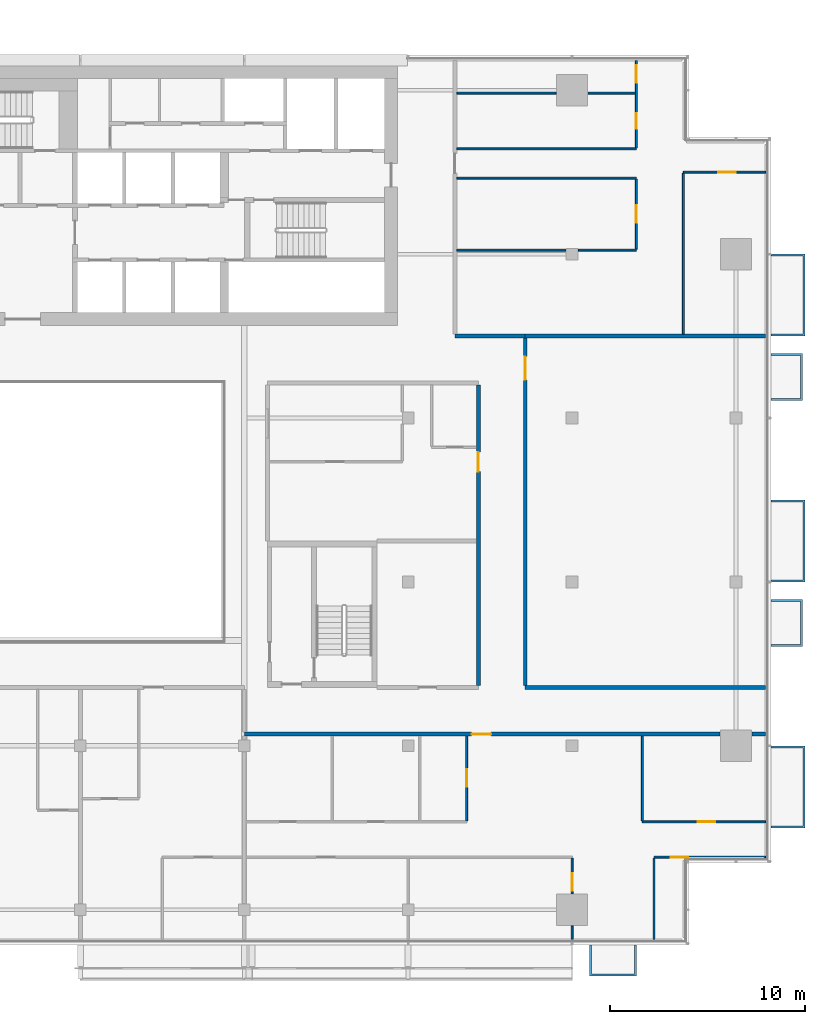
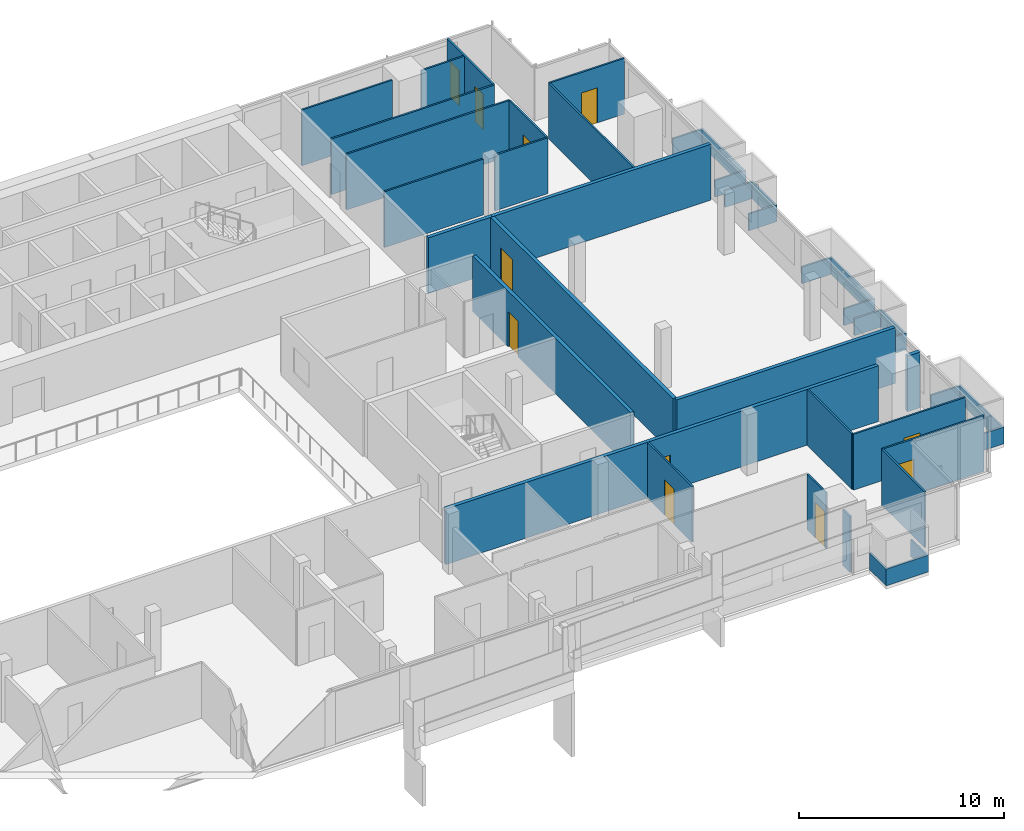
# One storey, part 23 of 27: 30 walls, 11 doors, 11 openings.
"""IFC4 building model written with IfcOpenShell, lengths in metres."""

from ifc_helpers import new_model, si_unit, direction, frame, frame_2d, origin, place, context, subcontext, project, spatial, polyline, rectangle, outline, extrude, material, layer, layer_set, type_object, element, fill, save


model = new_model("IFC4")

# Units and contexts
model_context = context("Model", 3, precision=1e-05, world=origin(), true_north=direction((0.0, 1.0)))
body_context = subcontext(model_context, "Body", "Model", "MODEL_VIEW")
ifc_project = project(units=[si_unit("LENGTHUNIT", "METRE"), si_unit("AREAUNIT", "SQUARE_METRE"), si_unit("VOLUMEUNIT", "CUBIC_METRE"), si_unit("PLANEANGLEUNIT", "RADIAN"), si_unit("MASSUNIT", "GRAM", prefix="KILO")], contexts=[model_context])

# Site, building, storey
site_placement = place(None, origin())
site = spatial("IfcSite", under=ifc_project, at=site_placement, CompositionType="ELEMENT")
building_placement = place(site_placement, origin())
building = spatial("IfcBuilding", under=site, at=building_placement, Name="Saffron Gate Tower", CompositionType="ELEMENT")
storey_placement = place(building_placement, frame((0.0, 0.0, 212.699951171875)))
storey = spatial("IfcBuildingStorey", under=building, at=storey_placement, Name="L51", CompositionType="ELEMENT", Elevation=212.699951171875)

# Wall, opening, door
ifc_material_1 = material(Name="Plasterboard on steel studs", Category="steel")
ifc_layer_1 = layer(ifc_material_1, 0.10009765625)
ifc_layer_set_1 = layer_set([ifc_layer_1], Name="PW1 Partition 100")
wall_type_1 = type_object("IfcWallType", Name="PW1 Partition 100", PredefinedType="PARTITIONING", material=ifc_layer_set_1)
wall_1_placement = place(storey_placement, frame((126.919921875, 34.5, 0.0), z_axis=(0.0, 0.0, 1.0), x_axis=(-1.0, 0.0, 0.0)))
wall_1 = element("IfcWall", 1, at=wall_1_placement, inside=storey, type_object=wall_type_1, Name="Partition D1-3", PredefinedType="PARTITIONING", context=body_context, shape_type="SweptSolid", body=[
    extrude(rectangle(XDim=5.719970703125, YDim=0.10009765625, at=frame_2d((2.85986328125, 0.0))), origin(), (0.0, 0.0, 1.0), 3.320068359375),
])
opening_1_placement = place(wall_1_placement, frame((3.96630859375, 0.0, 0.0)))
opening_1 = element("IfcOpeningElement", 2, at=opening_1_placement, cuts=wall_1, Name="Opening D1-21", PredefinedType="OPENING", context=body_context, shape_type="SweptSolid", body=[
    extrude(rectangle(XDim=0.89990234375, YDim=2.10009765625, at=frame_2d((0.449951171875, 1.050048828125))), frame((0.0, 0.06005859375, 0.0), z_axis=(0.0, -1.0, 0.0), x_axis=(1.0, 0.0, 0.0)), (0.0, 0.0, 1.0), 0.1201171875),
])
ifc_material_2 = material(Name="Timber door set", Category="wood")
door_type_1 = type_object("IfcDoorType", Name="RD1 Room door 900x2100", OperationType="NOTDEFINED", PredefinedType="DOOR", material=ifc_material_2)
door_1_placement = place(opening_1_placement, origin())
door_1 = element("IfcDoor", 3, at=door_1_placement, inside=storey, type_object=door_type_1, Name="Door D1-21", OperationType="SINGLE_SWING_RIGHT", OverallHeight=2.10009765625, OverallWidth=0.89990234375, PredefinedType="DOOR", context=body_context, shape_type="SweptSolid", body=[
    extrude(rectangle(XDim=0.89990234375, YDim=2.10009765625, at=frame_2d((0.449951171875, 1.050048828125))), frame((0.0, 0.02490234375, 0.0), z_axis=(0.0, -1.0, 0.0), x_axis=(1.0, 0.0, 0.0)), (0.0, 0.0, 1.0), 0.050048828125),
])
fill(opening_1, door_1)

wall_2_placement = place(storey_placement, frame((120.60009765625, 36.300048828125, 0.0), z_axis=(0.0, 0.0, 1.0), x_axis=(1.0, 0.0, 0.0)))
wall_2 = element("IfcWall", 4, at=wall_2_placement, inside=storey, type_object=wall_type_1, Name="Partition D1-8", PredefinedType="PARTITIONING", context=body_context, shape_type="SweptSolid", body=[
    extrude(rectangle(XDim=6.31982421875, YDim=0.10009765625, at=frame_2d((3.159912109375, 0.0))), origin(), (0.0, 0.0, 1.0), 3.320068359375),
])
opening_2_placement = place(wall_2_placement, frame((2.85009765625, 0.0, 0.0)))
opening_2 = element("IfcOpeningElement", 5, at=opening_2_placement, cuts=wall_2, Name="Opening D1-22", PredefinedType="OPENING", context=body_context, shape_type="SweptSolid", body=[
    extrude(rectangle(XDim=0.89990234375, YDim=2.10009765625, at=frame_2d((0.449951171875, 1.050048828125))), frame((0.0, 0.06005859375, 0.0), z_axis=(0.0, -1.0, 0.0), x_axis=(1.0, 0.0, 0.0)), (0.0, 0.0, 1.0), 0.1201171875),
])
door_2_placement = place(opening_2_placement, origin())
door_2 = element("IfcDoor", 6, at=door_2_placement, inside=storey, type_object=door_type_1, Name="Door D1-22", OperationType="SINGLE_SWING_RIGHT", OverallHeight=2.10009765625, OverallWidth=0.89990234375, PredefinedType="DOOR", context=body_context, shape_type="SweptSolid", body=[
    extrude(rectangle(XDim=0.89990234375, YDim=2.10009765625, at=frame_2d((0.449951171875, 1.050048828125))), frame((0.0, 0.02490234375, 0.0), z_axis=(0.0, -1.0, 0.0), x_axis=(1.0, 0.0, 0.0)), (0.0, 0.0, 1.0), 0.050048828125),
])
fill(opening_2, door_2)

# Walls
wall_3_placement = place(storey_placement, frame((111.10009765625, 65.608642578125, 0.0), z_axis=(0.0, 0.0, 1.0), x_axis=(1.0, 0.0, 0.0)))
element("IfcWall", 7, at=wall_3_placement, inside=storey, type_object=wall_type_1, Name="Partition D1-34", PredefinedType="PARTITIONING", context=body_context, shape_type="SweptSolid", body=[
    extrude(rectangle(XDim=5.579833984375, YDim=0.10009765625, at=frame_2d((2.7900390625, 0.0))), origin(), (0.0, 0.0, 1.0), 3.320068359375),
])
wall_4_placement = place(storey_placement, frame((117.320068359375, 65.608642578125, 0.0), z_axis=(0.0, 0.0, 1.0), x_axis=(1.0, 0.0, 0.0)))
element("IfcWall", 8, at=wall_4_placement, inside=storey, type_object=wall_type_1, Name="Partition D1-35", PredefinedType="PARTITIONING", context=body_context, shape_type="SweptSolid", body=[
    extrude(rectangle(XDim=2.97998046875, YDim=0.10009765625, at=frame_2d((1.489990234375, 0.0))), origin(), (0.0, 0.0, 1.0), 3.320068359375),
])
wall_5_placement = place(storey_placement, frame((111.10009765625, 69.300048828125, 0.0), z_axis=(0.0, 0.0, 1.0), x_axis=(1.0, 0.0, 0.0)))
element("IfcWall", 9, at=wall_5_placement, inside=storey, type_object=wall_type_1, Name="Partition D1-37", PredefinedType="PARTITIONING", context=body_context, shape_type="SweptSolid", body=[
    extrude(rectangle(XDim=9.199951171875, YDim=0.10009765625, at=frame_2d((4.60009765625, 0.0))), origin(), (0.0, 0.0, 1.0), 3.320068359375),
])

# Wall, opening, door
wall_6_placement = place(storey_placement, frame((126.919921875, 69.60009765625, 0.0), z_axis=(0.0, 0.0, 1.0), x_axis=(-1.0, 0.0, 0.0)))
wall_6 = element("IfcWall", 10, at=wall_6_placement, inside=storey, type_object=wall_type_1, Name="Partition D1-39", PredefinedType="PARTITIONING", context=body_context, shape_type="SweptSolid", body=[
    extrude(rectangle(XDim=4.219970703125, YDim=0.10009765625, at=frame_2d((2.10986328125, 0.0))), origin(), (0.0, 0.0, 1.0), 3.320068359375),
])
opening_3_placement = place(wall_6_placement, frame((1.52001953125, 0.0, 0.0)))
opening_3 = element("IfcOpeningElement", 11, at=opening_3_placement, cuts=wall_6, Name="Opening D1-27", PredefinedType="OPENING", context=body_context, shape_type="SweptSolid", body=[
    extrude(rectangle(XDim=0.89990234375, YDim=2.10009765625, at=frame_2d((0.449951171875, 1.050048828125))), frame((0.0, 0.06005859375, 0.0), z_axis=(0.0, -1.0, 0.0), x_axis=(1.0, 0.0, 0.0)), (0.0, 0.0, 1.0), 0.1201171875),
])
door_3_placement = place(opening_3_placement, origin())
door_3 = element("IfcDoor", 12, at=door_3_placement, inside=storey, type_object=door_type_1, Name="Door D1-27", OperationType="SINGLE_SWING_LEFT", OverallHeight=2.10009765625, OverallWidth=0.89990234375, PredefinedType="DOOR", context=body_context, shape_type="SweptSolid", body=[
    extrude(rectangle(XDim=0.89990234375, YDim=2.10009765625, at=frame_2d((0.449951171875, 1.050048828125))), frame((0.0, 0.02490234375, 0.0), z_axis=(0.0, -1.0, 0.0), x_axis=(1.0, 0.0, 0.0)), (0.0, 0.0, 1.0), 0.050048828125),
])
fill(opening_3, door_3)

# Walls
wall_7_placement = place(storey_placement, frame((111.10009765625, 70.800048828125, 0.0), z_axis=(0.0, 0.0, 1.0), x_axis=(1.0, 0.0, 0.0)))
element("IfcWall", 13, at=wall_7_placement, inside=storey, type_object=wall_type_1, Name="Partition D1-40", PredefinedType="PARTITIONING", context=body_context, shape_type="SweptSolid", body=[
    extrude(rectangle(XDim=9.199951171875, YDim=0.10009765625, at=frame_2d((4.60009765625, 0.0))), origin(), (0.0, 0.0, 1.0), 3.320068359375),
])
wall_8_placement = place(storey_placement, frame((111.10009765625, 73.6494140625, 0.0), z_axis=(0.0, 0.0, 1.0), x_axis=(1.0, 0.0, 0.0)))
element("IfcWall", 14, at=wall_8_placement, inside=storey, type_object=wall_type_1, Name="Partition D1-43", PredefinedType="PARTITIONING", context=body_context, shape_type="SweptSolid", body=[
    extrude(rectangle(XDim=5.079833984375, YDim=0.10009765625, at=frame_2d((2.5400390625, 0.0))), origin(), (0.0, 0.0, 1.0), 3.320068359375),
])
wall_9_placement = place(storey_placement, frame((117.820068359375, 73.6494140625, 0.0), z_axis=(0.0, 0.0, 1.0), x_axis=(1.0, 0.0, 0.0)))
element("IfcWall", 15, at=wall_9_placement, inside=storey, type_object=wall_type_1, Name="Partition D1-44", PredefinedType="PARTITIONING", context=body_context, shape_type="SweptSolid", body=[
    extrude(rectangle(XDim=2.429931640625, YDim=0.10009765625, at=frame_2d((1.21484375, 0.0))), origin(), (0.0, 0.0, 1.0), 3.320068359375),
])

# Wall, opening, door
wall_10_placement = place(storey_placement, frame((111.60009765625, 36.35009765625, 0.0), z_axis=(0.0, 0.0, 1.0), x_axis=(0.0, 1.0, 0.0)))
wall_10 = element("IfcWall", 16, at=wall_10_placement, inside=storey, type_object=wall_type_1, Name="Partition D1-91", PredefinedType="PARTITIONING", context=body_context, shape_type="SweptSolid", body=[
    extrude(rectangle(XDim=4.349853515625, YDim=0.10009765625, at=frame_2d((2.1748046875, 0.0))), origin(), (0.0, 0.0, 1.0), 3.320068359375),
])
opening_4_placement = place(wall_10_placement, frame((1.75, 0.0, 0.0)))
opening_4 = element("IfcOpeningElement", 17, at=opening_4_placement, cuts=wall_10, Name="Opening D1-23", PredefinedType="OPENING", context=body_context, shape_type="SweptSolid", body=[
    extrude(rectangle(XDim=0.89990234375, YDim=2.10009765625, at=frame_2d((0.449951171875, 1.050048828125))), frame((0.0, 0.06005859375, 0.0), z_axis=(0.0, -1.0, 0.0), x_axis=(1.0, 0.0, 0.0)), (0.0, 0.0, 1.0), 0.1201171875),
])
door_4_placement = place(opening_4_placement, origin())
door_4 = element("IfcDoor", 18, at=door_4_placement, inside=storey, type_object=door_type_1, Name="Door D1-23", OperationType="SINGLE_SWING_RIGHT", OverallHeight=2.10009765625, OverallWidth=0.89990234375, PredefinedType="DOOR", context=body_context, shape_type="SweptSolid", body=[
    extrude(rectangle(XDim=0.89990234375, YDim=2.10009765625, at=frame_2d((0.449951171875, 1.050048828125))), frame((0.0, 0.02490234375, 0.0), z_axis=(0.0, -1.0, 0.0), x_axis=(1.0, 0.0, 0.0)), (0.0, 0.0, 1.0), 0.050048828125),
])
fill(opening_4, door_4)

# Wall
wall_11_placement = place(storey_placement, frame((117.0, 30.97998046875, 0.0), z_axis=(0.0, 0.0, 1.0), x_axis=(0.0, -1.0, 0.0)))
element("IfcWall", 19, at=wall_11_placement, inside=storey, type_object=wall_type_1, Name="Partition D1-94", PredefinedType="PARTITIONING", context=body_context, shape_type="SweptSolid", body=[
    extrude(rectangle(XDim=0.699951171875, YDim=0.10009765625, at=frame_2d((0.35009765625, 0.0))), origin(), (0.0, 0.0, 1.0), 3.320068359375),
])

# Wall, opening, door
wall_12_placement = place(storey_placement, frame((117.0, 32.6201171875, 0.0), z_axis=(0.0, 0.0, 1.0), x_axis=(0.0, 1.0, 0.0)))
wall_12 = element("IfcWall", 20, at=wall_12_placement, inside=storey, type_object=wall_type_1, Name="Partition D1-95", PredefinedType="PARTITIONING", context=body_context, shape_type="SweptSolid", body=[
    extrude(rectangle(XDim=1.829833984375, YDim=0.10009765625, at=frame_2d((0.9150390625, 0.0))), origin(), (0.0, 0.0, 1.0), 3.320068359375),
])
opening_5_placement = place(wall_12_placement, frame((0.14990234375, 0.0, 0.0)))
opening_5 = element("IfcOpeningElement", 21, at=opening_5_placement, cuts=wall_12, Name="Opening D1-20", PredefinedType="OPENING", context=body_context, shape_type="SweptSolid", body=[
    extrude(rectangle(XDim=0.89990234375, YDim=2.10009765625, at=frame_2d((0.449951171875, 1.050048828125))), frame((0.0, 0.06005859375, 0.0), z_axis=(0.0, -1.0, 0.0), x_axis=(1.0, 0.0, 0.0)), (0.0, 0.0, 1.0), 0.1201171875),
])
door_5_placement = place(opening_5_placement, origin())
door_5 = element("IfcDoor", 22, at=door_5_placement, inside=storey, type_object=door_type_1, Name="Door D1-20", OperationType="SINGLE_SWING_LEFT", OverallHeight=2.10009765625, OverallWidth=0.89990234375, PredefinedType="DOOR", context=body_context, shape_type="SweptSolid", body=[
    extrude(rectangle(XDim=0.89990234375, YDim=2.10009765625, at=frame_2d((0.449951171875, 1.050048828125))), frame((0.0, 0.02490234375, 0.0), z_axis=(0.0, -1.0, 0.0), x_axis=(1.0, 0.0, 0.0)), (0.0, 0.0, 1.0), 0.050048828125),
])
fill(opening_5, door_5)

wall_13_placement = place(storey_placement, frame((120.300048828125, 65.65869140625, 0.0), z_axis=(0.0, 0.0, 1.0), x_axis=(0.0, 1.0, 0.0)))
wall_13 = element("IfcWall", 23, at=wall_13_placement, inside=storey, type_object=wall_type_1, Name="Partition D1-96", PredefinedType="PARTITIONING", context=body_context, shape_type="SweptSolid", body=[
    extrude(rectangle(XDim=3.59130859375, YDim=0.10009765625, at=frame_2d((1.795654296875, 0.0))), origin(), (0.0, 0.0, 1.0), 3.320068359375),
])
opening_6_placement = place(wall_13_placement, frame((1.345703125, 0.0, 0.0)))
opening_6 = element("IfcOpeningElement", 24, at=opening_6_placement, cuts=wall_13, Name="Opening D1-28", PredefinedType="OPENING", context=body_context, shape_type="SweptSolid", body=[
    extrude(rectangle(XDim=0.89990234375, YDim=2.10009765625, at=frame_2d((0.449951171875, 1.050048828125))), frame((0.0, 0.06005859375, 0.0), z_axis=(0.0, -1.0, 0.0), x_axis=(1.0, 0.0, 0.0)), (0.0, 0.0, 1.0), 0.1201171875),
])
door_6_placement = place(opening_6_placement, origin())
door_6 = element("IfcDoor", 25, at=door_6_placement, inside=storey, type_object=door_type_1, Name="Door D1-28", OperationType="SINGLE_SWING_RIGHT", OverallHeight=2.10009765625, OverallWidth=0.89990234375, PredefinedType="DOOR", context=body_context, shape_type="SweptSolid", body=[
    extrude(rectangle(XDim=0.89990234375, YDim=2.10009765625, at=frame_2d((0.449951171875, 1.050048828125))), frame((0.0, 0.02490234375, 0.0), z_axis=(0.0, -1.0, 0.0), x_axis=(1.0, 0.0, 0.0)), (0.0, 0.0, 1.0), 0.050048828125),
])
fill(opening_6, door_6)

# Wall, openings, doors
wall_14_placement = place(storey_placement, frame((120.300048828125, 70.85009765625, 0.0), z_axis=(0.0, 0.0, 1.0), x_axis=(0.0, 1.0, 0.0)))
wall_14 = element("IfcWall", 26, at=wall_14_placement, inside=storey, type_object=wall_type_1, Name="Partition D1-97", PredefinedType="PARTITIONING", context=body_context, shape_type="SweptSolid", body=[
    extrude(rectangle(XDim=4.469970703125, YDim=0.10009765625, at=frame_2d((2.23486328125, 0.0))), origin(), (0.0, 0.0, 1.0), 3.320068359375),
])
opening_7_placement = place(wall_14_placement, frame((0.974609375, 0.0, 0.0)))
opening_7 = element("IfcOpeningElement", 27, at=opening_7_placement, cuts=wall_14, Name="Opening D1-39", PredefinedType="OPENING", context=body_context, shape_type="SweptSolid", body=[
    extrude(rectangle(XDim=0.800048828125, YDim=2.10009765625, at=frame_2d((0.39990234375, 1.050048828125))), frame((0.0, 0.06005859375, 0.0), z_axis=(0.0, -1.0, 0.0), x_axis=(1.0, 0.0, 0.0)), (0.0, 0.0, 1.0), 0.1201171875),
])
opening_8_placement = place(wall_14_placement, frame((3.32470703125, 0.0, 0.0)))
opening_8 = element("IfcOpeningElement", 28, at=opening_8_placement, cuts=wall_14, Name="Opening D1-29", PredefinedType="OPENING", context=body_context, shape_type="SweptSolid", body=[
    extrude(rectangle(XDim=0.89990234375, YDim=2.10009765625, at=frame_2d((0.449951171875, 1.050048828125))), frame((0.0, 0.06005859375, 0.0), z_axis=(0.0, -1.0, 0.0), x_axis=(1.0, 0.0, 0.0)), (0.0, 0.0, 1.0), 0.1201171875),
])
door_7_placement = place(opening_8_placement, origin())
door_7 = element("IfcDoor", 29, at=door_7_placement, inside=storey, type_object=door_type_1, Name="Door D1-29", OperationType="SINGLE_SWING_RIGHT", OverallHeight=2.10009765625, OverallWidth=0.89990234375, PredefinedType="DOOR", context=body_context, shape_type="SweptSolid", body=[
    extrude(rectangle(XDim=0.89990234375, YDim=2.10009765625, at=frame_2d((0.449951171875, 1.050048828125))), frame((0.0, 0.02490234375, 0.0), z_axis=(0.0, -1.0, 0.0), x_axis=(1.0, 0.0, 0.0)), (0.0, 0.0, 1.0), 0.050048828125),
])
fill(opening_8, door_7)
door_type_2 = type_object("IfcDoorType", Name="RD2 Bathroom door 800x2100", OperationType="NOTDEFINED", PredefinedType="DOOR", material=ifc_material_2)
door_8_placement = place(opening_7_placement, origin())
door_8 = element("IfcDoor", 30, at=door_8_placement, inside=storey, type_object=door_type_2, Name="Door D1-39", OperationType="SINGLE_SWING_LEFT", OverallHeight=2.10009765625, OverallWidth=0.800048828125, PredefinedType="DOOR", context=body_context, shape_type="SweptSolid", body=[
    extrude(rectangle(XDim=0.800048828125, YDim=2.10009765625, at=frame_2d((0.39990234375, 1.050048828125))), frame((0.0, 0.02490234375, 0.0), z_axis=(0.0, -1.0, 0.0), x_axis=(1.0, 0.0, 0.0)), (0.0, 0.0, 1.0), 0.050048828125),
])
fill(opening_7, door_8)

# Walls
wall_15_placement = place(storey_placement, frame((120.60009765625, 40.699951171875, 0.0), z_axis=(0.0, 0.0, 1.0), x_axis=(0.0, -1.0, 0.0)))
element("IfcWall", 31, at=wall_15_placement, inside=storey, type_object=wall_type_1, Name="Partition D1-98", PredefinedType="PARTITIONING", context=body_context, shape_type="SweptSolid", body=[
    extrude(rectangle(XDim=4.349853515625, YDim=0.10009765625, at=frame_2d((2.1748046875, 0.0))), origin(), (0.0, 0.0, 1.0), 3.320068359375),
])
wall_16_placement = place(storey_placement, frame((121.199951171875, 34.449951171875, 0.0), z_axis=(0.0, 0.0, 1.0), x_axis=(0.0, -1.0, 0.0)))
element("IfcWall", 32, at=wall_16_placement, inside=storey, type_object=wall_type_1, Name="Partition D1-99", PredefinedType="PARTITIONING", context=body_context, shape_type="SweptSolid", body=[
    extrude(rectangle(XDim=4.169921875, YDim=0.10009765625, at=frame_2d((2.0849609375, 0.0))), origin(), (0.0, 0.0, 1.0), 3.320068359375),
])
wall_17_placement = place(storey_placement, frame((122.699951171875, 69.550048828125, 0.0), z_axis=(0.0, 0.0, 1.0), x_axis=(0.0, -1.0, 0.0)))
element("IfcWall", 33, at=wall_17_placement, inside=storey, type_object=wall_type_1, Name="Partition D1-100", PredefinedType="PARTITIONING", context=body_context, shape_type="SweptSolid", body=[
    extrude(rectangle(XDim=8.25, YDim=0.10009765625, at=frame_2d((4.125, 0.0))), origin(), (0.0, 0.0, 1.0), 3.320068359375),
])

# Wall, opening, door
ifc_material_3 = material(Name="Clay brick masonry, rendered", Category="masonry")
ifc_layer_2 = layer(ifc_material_3, 0.199951171875)
ifc_layer_set_2 = layer_set([ifc_layer_2], Name="PW3 Corridor wall 200")
wall_type_2 = type_object("IfcWallType", Name="PW3 Corridor wall 200", PredefinedType="PARTITIONING", material=ifc_layer_set_2)
wall_18_placement = place(storey_placement, frame((124.580078125, 40.800048828125, 0.0), z_axis=(0.0, 0.0, 1.0), x_axis=(-1.0, 0.0, 0.0)))
wall_18 = element("IfcWall", 34, at=wall_18_placement, inside=storey, type_object=wall_type_2, Name="Wall D1-14", PredefinedType="PARTITIONING", context=body_context, shape_type="SweptSolid", body=[
    extrude(rectangle(XDim=24.380126953125, YDim=0.199951171875, at=frame_2d((12.18994140625, 0.0))), origin(), (0.0, 0.0, 1.0), 3.320068359375),
])
opening_9_placement = place(wall_18_placement, frame((11.72998046875, 0.0, 0.0)))
opening_9 = element("IfcOpeningElement", 35, at=opening_9_placement, cuts=wall_18, Name="Opening D1-4", PredefinedType="OPENING", context=body_context, shape_type="SweptSolid", body=[
    extrude(rectangle(XDim=1.0, YDim=2.10009765625, at=frame_2d((0.5, 1.050048828125))), frame((0.0, 0.10986328125, 0.0), z_axis=(0.0, -1.0, 0.0), x_axis=(1.0, 0.0, 0.0)), (0.0, 0.0, 1.0), 0.219970703125),
])
ifc_material_4 = material(Name="Timber fire door set", Category="wood")
door_type_3 = type_object("IfcDoorType", Name="FD1 Flat entry door 1000x2100", OperationType="NOTDEFINED", PredefinedType="DOOR", material=ifc_material_4)
door_9_placement = place(opening_9_placement, origin())
door_9 = element("IfcDoor", 36, at=door_9_placement, inside=storey, type_object=door_type_3, Name="Door D1-4", OperationType="SINGLE_SWING_RIGHT", OverallHeight=2.10009765625, OverallWidth=1.0, PredefinedType="DOOR", context=body_context, shape_type="SweptSolid", body=[
    extrude(rectangle(XDim=1.0, YDim=2.10009765625, at=frame_2d((0.5, 1.050048828125))), frame((0.0, 0.02490234375, 0.0), z_axis=(0.0, -1.0, 0.0), x_axis=(1.0, 0.0, 0.0)), (0.0, 0.0, 1.0), 0.050048828125),
])
fill(opening_9, door_9)

# Walls
wall_19_placement = place(storey_placement, frame((126.219970703125, 40.800048828125, 0.0), z_axis=(0.0, 0.0, 1.0), x_axis=(1.0, 0.0, 0.0)))
element("IfcWall", 37, at=wall_19_placement, inside=storey, type_object=wall_type_2, Name="Wall D1-15", PredefinedType="PARTITIONING", context=body_context, shape_type="SweptSolid", body=[
    extrude(rectangle(XDim=0.699951171875, YDim=0.199951171875, at=frame_2d((0.35009765625, 0.0))), origin(), (0.0, 0.0, 1.0), 3.320068359375),
])
wall_20_placement = place(storey_placement, frame((114.60009765625, 43.199951171875, 0.0), z_axis=(0.0, 0.0, 1.0), x_axis=(1.0, 0.0, 0.0)))
element("IfcWall", 38, at=wall_20_placement, inside=storey, type_object=wall_type_2, Name="Wall D1-20", PredefinedType="PARTITIONING", context=body_context, shape_type="SweptSolid", body=[
    extrude(rectangle(XDim=12.31982421875, YDim=0.199951171875, at=frame_2d((6.159912109375, 0.0))), origin(), (0.0, 0.0, 1.0), 3.320068359375),
])
wall_21_placement = place(storey_placement, frame((111.0, 61.199951171875, 0.0), z_axis=(0.0, 0.0, 1.0), x_axis=(1.0, 0.0, 0.0)))
element("IfcWall", 39, at=wall_21_placement, inside=storey, type_object=wall_type_2, Name="Wall D1-30", PredefinedType="PARTITIONING", context=body_context, shape_type="SweptSolid", body=[
    extrude(rectangle(XDim=3.60009765625, YDim=0.199951171875, at=frame_2d((1.800048828125, 0.0))), origin(), (0.0, 0.0, 1.0), 3.320068359375),
])

# Wall, opening, door
wall_22_placement = place(storey_placement, frame((112.199951171875, 43.300048828125, 0.0), z_axis=(0.0, 0.0, 1.0), x_axis=(0.0, 1.0, 0.0)))
wall_22 = element("IfcWall", 40, at=wall_22_placement, inside=storey, type_object=wall_type_2, Name="Wall D1-92", PredefinedType="PARTITIONING", context=body_context, shape_type="SweptSolid", body=[
    extrude(rectangle(XDim=15.39990234375, YDim=0.199951171875, at=frame_2d((7.699951171875, 0.0))), origin(), (0.0, 0.0, 1.0), 3.320068359375),
])
opening_10_placement = place(wall_22_placement, frame((10.949951171875, 0.0, 0.0)))
opening_10 = element("IfcOpeningElement", 41, at=opening_10_placement, cuts=wall_22, Name="Opening D1-8", PredefinedType="OPENING", context=body_context, shape_type="SweptSolid", body=[
    extrude(rectangle(XDim=1.0, YDim=2.10009765625, at=frame_2d((0.5, 1.050048828125))), frame((0.0, 0.10986328125, 0.0), z_axis=(0.0, -1.0, 0.0), x_axis=(1.0, 0.0, 0.0)), (0.0, 0.0, 1.0), 0.219970703125),
])
door_10_placement = place(opening_10_placement, origin())
door_10 = element("IfcDoor", 42, at=door_10_placement, inside=storey, type_object=door_type_3, Name="Door D1-8", OperationType="SINGLE_SWING_RIGHT", OverallHeight=2.10009765625, OverallWidth=1.0, PredefinedType="DOOR", context=body_context, shape_type="SweptSolid", body=[
    extrude(rectangle(XDim=1.0, YDim=2.10009765625, at=frame_2d((0.5, 1.050048828125))), frame((0.0, 0.02490234375, 0.0), z_axis=(0.0, -1.0, 0.0), x_axis=(1.0, 0.0, 0.0)), (0.0, 0.0, 1.0), 0.050048828125),
])
fill(opening_10, door_10)

wall_23_placement = place(storey_placement, frame((114.60009765625, 61.10009765625, 0.0), z_axis=(0.0, 0.0, 1.0), x_axis=(0.0, -1.0, 0.0)))
wall_23 = element("IfcWall", 43, at=wall_23_placement, inside=storey, type_object=wall_type_2, Name="Wall D1-93", PredefinedType="PARTITIONING", context=body_context, shape_type="SweptSolid", body=[
    extrude(rectangle(XDim=17.800048828125, YDim=0.199951171875, at=frame_2d((8.89990234375, 0.0))), origin(), (0.0, 0.0, 1.0), 3.320068359375),
])
opening_11_placement = place(wall_23_placement, frame((0.949951171875, 0.0, 0.0)))
opening_11 = element("IfcOpeningElement", 44, at=opening_11_placement, cuts=wall_23, Name="Opening D1-44", PredefinedType="OPENING", context=body_context, shape_type="SweptSolid", body=[
    extrude(rectangle(XDim=1.199951171875, YDim=2.10009765625, at=frame_2d((0.60009765625, 1.050048828125))), frame((0.0, 0.10986328125, 0.0), z_axis=(0.0, -1.0, 0.0), x_axis=(1.0, 0.0, 0.0)), (0.0, 0.0, 1.0), 0.219970703125),
])
door_type_4 = type_object("IfcDoorType", Name="HD1 Hall door 1200x2100", OperationType="NOTDEFINED", PredefinedType="DOOR", material=ifc_material_2)
door_11_placement = place(opening_11_placement, origin())
door_11 = element("IfcDoor", 45, at=door_11_placement, inside=storey, type_object=door_type_4, Name="Door D1-44", OperationType="SINGLE_SWING_RIGHT", OverallHeight=2.10009765625, OverallWidth=1.199951171875, PredefinedType="DOOR", context=body_context, shape_type="SweptSolid", body=[
    extrude(rectangle(XDim=1.199951171875, YDim=2.10009765625, at=frame_2d((0.60009765625, 1.050048828125))), frame((0.0, 0.02490234375, 0.0), z_axis=(0.0, -1.0, 0.0), x_axis=(1.0, 0.0, 0.0)), (0.0, 0.0, 1.0), 0.050048828125),
])
fill(opening_11, door_11)

# Walls
ifc_layer_3 = layer(ifc_material_3, 0.199951171875)
ifc_layer_set_3 = layer_set([ifc_layer_3], Name="PW5 Room wall 200")
wall_type_3 = type_object("IfcWallType", Name="PW5 Room wall 200", PredefinedType="PARTITIONING", material=ifc_layer_set_3)
wall_24_placement = place(storey_placement, frame((114.60009765625, 61.199951171875, 0.0), z_axis=(0.0, 0.0, 1.0), x_axis=(1.0, 0.0, 0.0)))
element("IfcWall", 46, at=wall_24_placement, inside=storey, type_object=wall_type_3, Name="Wall D1-32", PredefinedType="PARTITIONING", context=body_context, shape_type="SweptSolid", body=[
    extrude(rectangle(XDim=12.31982421875, YDim=0.199951171875, at=frame_2d((6.159912109375, 0.0))), origin(), (0.0, 0.0, 1.0), 3.320068359375),
])
ifc_material_5 = material(Name="Rendered insulated panel, white")
ifc_layer_4 = layer(ifc_material_5, 0.10009765625)
ifc_layer_set_4 = layer_set([ifc_layer_4], Name="WB3 box parapet white")
wall_type_4 = type_object("IfcWallType", Name="WB3 box parapet white", PredefinedType="SOLIDWALL", material=ifc_layer_set_4)
wall_25_placement = place(storey_placement, origin())
element("IfcWall", 47, at=wall_25_placement, inside=storey, type_object=wall_type_4, Name="WINDOW BOX parapet", PredefinedType="SOLIDWALL", context=body_context, shape_type="SweptSolid", body=[
    extrude(outline(polyline([(117.89990234375, 30.0), (118.0, 30.0), (118.0, 28.5), (120.199951171875, 28.5), (120.199951171875, 30.0), (120.300048828125, 30.0), (120.300048828125, 28.39990234375), (117.89990234375, 28.39990234375), (117.89990234375, 30.0)])), origin(), (0.0, 0.0, 1.0), 1.0),
])
wall_26_placement = place(storey_placement, origin())
element("IfcWall", 48, at=wall_26_placement, inside=storey, type_object=wall_type_4, Name="WINDOW BOX parapet", PredefinedType="SOLIDWALL", context=body_context, shape_type="SweptSolid", body=[
    extrude(outline(polyline([(127.199951171875, 36.0), (127.199951171875, 36.10009765625), (128.8330078125, 36.10009765625), (128.8330078125, 40.10009765625), (127.199951171875, 40.10009765625), (127.199951171875, 40.199951171875), (128.93310546875, 40.199951171875), (128.93310546875, 36.0), (127.199951171875, 36.0)])), origin(), (0.0, 0.0, 1.0), 1.0),
])
wall_27_placement = place(storey_placement, origin())
element("IfcWall", 49, at=wall_27_placement, inside=storey, type_object=wall_type_4, Name="WINDOW BOX parapet", PredefinedType="SOLIDWALL", context=body_context, shape_type="SweptSolid", body=[
    extrude(outline(polyline([(127.199951171875, 45.300048828125), (127.199951171875, 45.39990234375), (128.699951171875, 45.39990234375), (128.699951171875, 47.60009765625), (127.199951171875, 47.60009765625), (127.199951171875, 47.699951171875), (128.800048828125, 47.699951171875), (128.800048828125, 45.300048828125), (127.199951171875, 45.300048828125)])), origin(), (0.0, 0.0, 1.0), 1.0),
])
wall_28_placement = place(storey_placement, origin())
element("IfcWall", 50, at=wall_28_placement, inside=storey, type_object=wall_type_4, Name="WINDOW BOX parapet", PredefinedType="SOLIDWALL", context=body_context, shape_type="SweptSolid", body=[
    extrude(outline(polyline([(127.199951171875, 48.60009765625), (127.199951171875, 48.699951171875), (128.8330078125, 48.699951171875), (128.8330078125, 52.699951171875), (127.199951171875, 52.699951171875), (127.199951171875, 52.800048828125), (128.93310546875, 52.800048828125), (128.93310546875, 48.60009765625), (127.199951171875, 48.60009765625)])), origin(), (0.0, 0.0, 1.0), 1.0),
])
wall_29_placement = place(storey_placement, origin())
element("IfcWall", 51, at=wall_29_placement, inside=storey, type_object=wall_type_4, Name="WINDOW BOX parapet", PredefinedType="SOLIDWALL", context=body_context, shape_type="SweptSolid", body=[
    extrude(outline(polyline([(127.199951171875, 57.89990234375), (127.199951171875, 58.0), (128.699951171875, 58.0), (128.699951171875, 60.199951171875), (127.199951171875, 60.199951171875), (127.199951171875, 60.300048828125), (128.800048828125, 60.300048828125), (128.800048828125, 57.89990234375), (127.199951171875, 57.89990234375)])), origin(), (0.0, 0.0, 1.0), 1.0),
])
wall_30_placement = place(storey_placement, origin())
element("IfcWall", 52, at=wall_30_placement, inside=storey, type_object=wall_type_4, Name="WINDOW BOX parapet", PredefinedType="SOLIDWALL", context=body_context, shape_type="SweptSolid", body=[
    extrude(outline(polyline([(127.199951171875, 61.199951171875), (127.199951171875, 61.300048828125), (128.8330078125, 61.300048828125), (128.8330078125, 65.300048828125), (127.199951171875, 65.300048828125), (127.199951171875, 65.39990234375), (128.93310546875, 65.39990234375), (128.93310546875, 61.199951171875), (127.199951171875, 61.199951171875)])), origin(), (0.0, 0.0, 1.0), 1.0),
])

save(model, "model.ifc")
